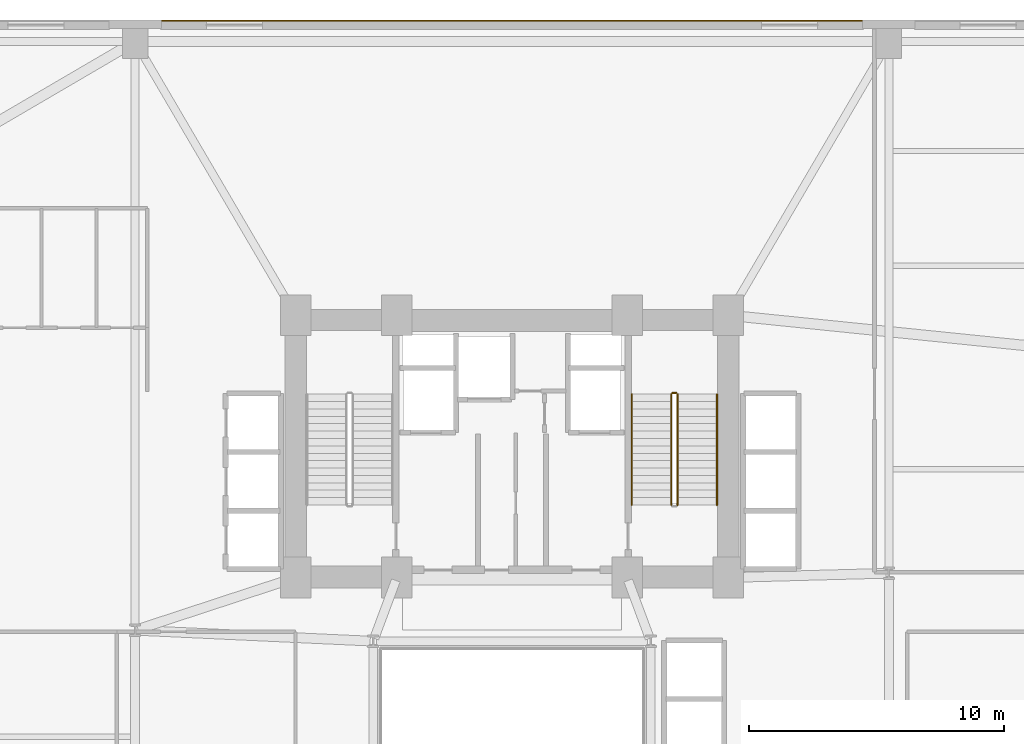
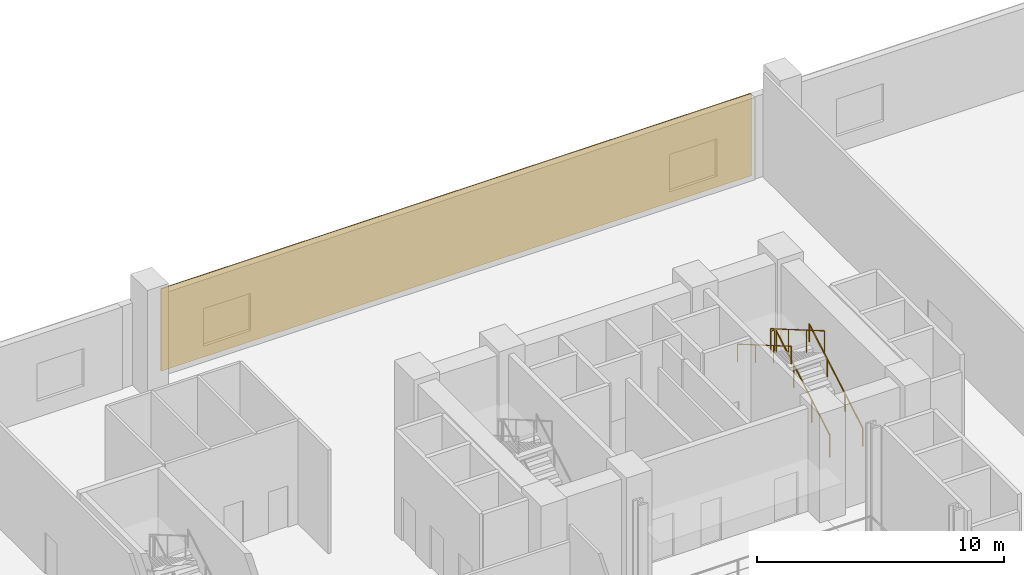
# One storey, part 39 of 40: 5 railings, 1 covering.
"""IFC4 building model written with IfcOpenShell, lengths in metres."""

import ifcopenshell
import ifcopenshell.guid

model = None  # the IFC model being written
_history = None  # IfcOwnerHistory: only IFC2X3 demands one
_inside = {}  # id of a spatial element -> (the spatial element, [elements in it])
_under = {}  # id of a project, library or spatial element -> (it, [spatial elements below it])
_declared = {}  # id of a project -> (the project, [libraries it declares])
_typed = {}  # id of a type object -> (the type object, [elements of that type])
_made_of = {}  # id of a material, layer set ... -> (it, [elements and type objects made of it])


def new_model(schema):
    """Start an empty IFC model of exactly this schema.

    Asked for "IFC4X3", IfcOpenShell would pick the latest addendum, in which some entities
    have other attributes; the version numbers below select the first issue.
    IFC2X3 requires an IfcOwnerHistory on every rooted entity: one is made here for all.
    """
    global model, _history
    if schema == "IFC4X3":
        model = ifcopenshell.file(schema_version=(4, 3, 0, 0))
    else:
        model = ifcopenshell.file(schema=schema)
    _inside.clear()
    _under.clear()
    _declared.clear()
    _typed.clear()
    _made_of.clear()
    _history = None
    if model.schema == "IFC2X3":
        org = make("IfcOrganization", Name="unknown")
        user = make(
            "IfcPersonAndOrganization",
            ThePerson=make("IfcPerson", FamilyName="unknown"),
            TheOrganization=org,
        )
        app = make(
            "IfcApplication",
            ApplicationDeveloper=org,
            Version="unknown",
            ApplicationFullName="unknown",
            ApplicationIdentifier="unknown",
        )
        _history = make(
            "IfcOwnerHistory",
            OwningUser=user,
            OwningApplication=app,
            ChangeAction="ADDED",
            CreationDate=0,
        )
    return model


def make(cls, **values):
    """One entity of the class cls with the attributes given. An attribute that is None is left unset."""
    return model.create_entity(
        cls, **{name: value for name, value in values.items() if value is not None}
    )


def rooted(cls, **values):
    """An entity with a GlobalId (a new one), such as an element, a storey or a relation."""
    return make(cls, GlobalId=ifcopenshell.guid.new(), OwnerHistory=_history, **values)


def si_unit(unit_type, name, prefix=None):
    """IfcSIUnit, for example si_unit("LENGTHUNIT", "METRE", prefix="MILLI")."""
    return make("IfcSIUnit", UnitType=unit_type, Prefix=prefix, Name=name)


def assignment(units):
    """IfcUnitAssignment: the units of a project."""
    return None if units is None else make("IfcUnitAssignment", Units=units)


def point(xyz):
    """IfcCartesianPoint."""
    return None if xyz is None else make("IfcCartesianPoint", Coordinates=xyz)


def direction(xyz):
    """IfcDirection."""
    return None if xyz is None else make("IfcDirection", DirectionRatios=xyz)


def frame(location, z_axis=None, x_axis=None):
    """IfcAxis2Placement3D, a coordinate frame: its origin and axes. An axis left out is left unset."""
    return make(
        "IfcAxis2Placement3D",
        Location=point(location),
        Axis=direction(z_axis),
        RefDirection=direction(x_axis),
    )


def frame_2d(location, x_axis=None):
    """IfcAxis2Placement2D, a coordinate frame in the plane: its origin and x axis."""
    return make(
        "IfcAxis2Placement2D", Location=point(location), RefDirection=direction(x_axis)
    )


def origin():
    """The frame at (0, 0, 0) with its axes left unset."""
    return frame((0.0, 0.0, 0.0))


def origin_2d():
    """The frame at (0, 0) in the plane with its x axis left unset."""
    return frame_2d((0.0, 0.0))


def place(relative_to, where):
    """IfcLocalPlacement: puts the frame where relative to a parent placement (None: the world)."""
    return make(
        "IfcLocalPlacement", PlacementRelTo=relative_to, RelativePlacement=where
    )


def context(
    kind, dimensions, precision=None, world=None, true_north=None, identifier=None
):
    """IfcGeometricRepresentationContext, for example the 3D "Model" context."""
    return make(
        "IfcGeometricRepresentationContext",
        ContextIdentifier=identifier,
        ContextType=kind,
        CoordinateSpaceDimension=dimensions,
        Precision=precision,
        WorldCoordinateSystem=world,
        TrueNorth=true_north,
    )


def subcontext(parent, identifier, kind, view, scale=None):
    """IfcGeometricRepresentationSubContext, for example "Body" below "Model"."""
    return make(
        "IfcGeometricRepresentationSubContext",
        ContextIdentifier=identifier,
        ContextType=kind,
        ParentContext=parent,
        TargetScale=scale,
        TargetView=view,
    )


def project(units=None, contexts=None):
    """IfcProject with its units and contexts."""
    return rooted(
        "IfcProject",
        Name="project",
        RepresentationContexts=contexts,
        UnitsInContext=assignment(units),
    )


def spatial(cls, under=None, at=None, **own):
    """A site, building, storey or space (cls), placed at a placement, below another one or the project."""
    s = rooted(cls, ObjectPlacement=at, **own)
    if under is not None:
        _under.setdefault(under.id(), (under, []))[1].append(s)
    return s


def profile(cls, at=None, kind="AREA", **sizes):
    """A parametric profile (cls). Its sizes go by their IFC names, for example OverallWidth=200.0."""
    return make(cls, ProfileType=kind, Position=at, **sizes)


def rectangle(**sizes):
    """IfcRectangleProfileDef."""
    return profile("IfcRectangleProfileDef", **sizes)


def circle(**sizes):
    """IfcCircleProfileDef."""
    return profile("IfcCircleProfileDef", **sizes)


def extrude(swept, where, along, depth):
    """IfcExtrudedAreaSolid: the profile swept, set in the frame where, extruded along a direction by depth."""
    return make(
        "IfcExtrudedAreaSolid",
        SweptArea=swept,
        Position=where,
        ExtrudedDirection=direction(along),
        Depth=depth,
    )


def shape(context_of_items, identifier, shape_type, items):
    """IfcShapeRepresentation: the items that make up one representation, for example the "Body"."""
    return make(
        "IfcShapeRepresentation",
        ContextOfItems=context_of_items,
        RepresentationIdentifier=identifier,
        RepresentationType=shape_type,
        Items=items,
    )


def source(mapping_origin, context_of_items, identifier, shape_type, items):
    """IfcRepresentationMap: a shape defined once, which mapped items show again and again."""
    return make(
        "IfcRepresentationMap",
        MappingOrigin=mapping_origin,
        MappedRepresentation=shape(context_of_items, identifier, shape_type, items),
    )


def transform(
    local_origin,
    x_axis=None,
    y_axis=None,
    z_axis=None,
    scale=None,
    scale2=None,
    scale3=None,
    uniform=True,
):
    """IfcCartesianTransformationOperator3D, or its non-uniform kind. x_axis, y_axis, z_axis: its Axis1, 2, 3."""
    if uniform:
        return make(
            "IfcCartesianTransformationOperator3D",
            Axis1=direction(x_axis),
            Axis2=direction(y_axis),
            LocalOrigin=point(local_origin),
            Scale=scale,
            Axis3=direction(z_axis),
        )
    return make(
        "IfcCartesianTransformationOperator3DnonUniform",
        Axis1=direction(x_axis),
        Axis2=direction(y_axis),
        LocalOrigin=point(local_origin),
        Scale=scale,
        Axis3=direction(z_axis),
        Scale2=scale2,
        Scale3=scale3,
    )


def mapped(mapping_source, mapping_target):
    """IfcMappedItem: shows the shape of a source again, moved by a transform."""
    return make(
        "IfcMappedItem", MappingSource=mapping_source, MappingTarget=mapping_target
    )


def material(Name=None, Category=None):
    """IfcMaterial."""
    return make("IfcMaterial", Name=Name, Category=Category)


def layer(
    of_material, thickness, ventilated=None, Name=None, Category=None, Priority=None
):
    """IfcMaterialLayer: one layer of a wall or slab, of a material (None: an air gap)."""
    return make(
        "IfcMaterialLayer",
        Material=of_material,
        LayerThickness=thickness,
        IsVentilated=ventilated,
        Name=Name,
        Category=Category,
        Priority=Priority,
    )


def layer_set(layers, Name=None):
    """IfcMaterialLayerSet."""
    return make("IfcMaterialLayerSet", MaterialLayers=layers, LayerSetName=Name)


def made_of(thing, what):
    """Note that an element or type object is made of a material, layer set ...; save() writes the relation."""
    if what is not None:
        _made_of.setdefault(what.id(), (what, []))[1].append(thing)
    return thing


def type_object(cls, material=None, **own):
    """A type object (cls), such as IfcWallType, which elements share."""
    return made_of(rooted(cls, **own), material)


def element(
    cls,
    number,
    at=None,
    inside=None,
    cuts=None,
    type_object=None,
    material=None,
    context=None,
    identifier="Body",
    shape_type=None,
    held_by="IfcProductDefinitionShape",
    body=None,
    shapes=None,
    **own,
):
    """One element of the class cls, such as IfcWall. Its Tag is "e" and its number.

    at: its placement. inside: the storey or other place that contains it. cuts: it is an
    opening in that element (IfcRelVoidsElement). A single representation is given by context,
    identifier, shape_type and body (its items); several are given by shapes. held_by: the class
    of the entity that holds the representations. save() writes the other relations.
    """
    e = rooted(cls, Tag="e%d" % number, ObjectPlacement=at, **own)
    if body is not None:
        shapes = [shape(context, identifier, shape_type, body)]
    if shapes is not None:
        e.Representation = make(held_by, Representations=shapes)
    if inside is not None:
        _inside.setdefault(inside.id(), (inside, []))[1].append(e)
    if cuts is not None:
        rooted(
            "IfcRelVoidsElement", RelatingBuildingElement=cuts, RelatedOpeningElement=e
        )
    if type_object is not None:
        _typed.setdefault(type_object.id(), (type_object, []))[1].append(e)
    return made_of(e, material)


def aggregate(whole, parts):
    """IfcRelAggregates: a whole, such as a stair, and the parts it consists of."""
    return rooted("IfcRelAggregates", RelatingObject=whole, RelatedObjects=parts)


def save(model, path):
    """Write the relations noted so far, then the file.

    IfcRelAggregates (storeys below a building ...), IfcRelContainedInSpatialStructure (elements
    in a storey), IfcRelDefinesByType, IfcRelAssociatesMaterial and IfcRelDeclares: one each for
    every whole, place, type object, material and project.
    """
    for whole, parts in _under.values():
        aggregate(whole, parts)
    for where, things in _inside.values():
        rooted(
            "IfcRelContainedInSpatialStructure",
            RelatedElements=things,
            RelatingStructure=where,
        )
    for kind, things in _typed.values():
        rooted("IfcRelDefinesByType", RelatedObjects=things, RelatingType=kind)
    for what, things in _made_of.values():
        rooted("IfcRelAssociatesMaterial", RelatedObjects=things, RelatingMaterial=what)
    for by, libraries in _declared.values():
        rooted("IfcRelDeclares", RelatingContext=by, RelatedDefinitions=libraries)
    model.write(path)


model = new_model("IFC4")

# Units and contexts
model_context = context("Model", 3, precision=1e-05, world=origin(), true_north=direction((0.0, 1.0)))
body_context = subcontext(model_context, "Body", "Model", "MODEL_VIEW")
ifc_project = project(units=[si_unit("LENGTHUNIT", "METRE"), si_unit("AREAUNIT", "SQUARE_METRE"), si_unit("VOLUMEUNIT", "CUBIC_METRE"), si_unit("PLANEANGLEUNIT", "RADIAN"), si_unit("MASSUNIT", "GRAM", prefix="KILO")], contexts=[model_context])

# Site, building, storey
site_placement = place(None, origin())
site = spatial("IfcSite", under=ifc_project, at=site_placement, CompositionType="ELEMENT")
building_placement = place(site_placement, origin())
building = spatial("IfcBuilding", under=site, at=building_placement, Name="Varnelok Gate Tower", CompositionType="ELEMENT")
storey_placement = place(building_placement, frame((0.0, 0.0, 5.39990234375)))
storey = spatial("IfcBuildingStorey", under=building, at=storey_placement, Name="L01", CompositionType="ELEMENT", Elevation=5.39990234375)

# Railings
ifc_material_1 = material(Name="Brushed Stainless Steel AISI 316", Category="steel")
railing_type_1 = type_object("IfcRailingType", Name="RL-HANDRAIL-900", PredefinedType="HANDRAIL", material=ifc_material_1)
railing_1_placement = place(storey_placement, frame((47.25, 31.60009765625, 0.1689453125)))
element("IfcRailing", 1, at=railing_1_placement, inside=storey, type_object=railing_type_1, Name="L01 ST-2 stair handrail 1", PredefinedType="HANDRAIL", context=body_context, shape_type="SweptSolid", body=[
    extrude(circle(Radius=0.02392578125, at=origin_2d()), frame((0.0, 0.0, 0.8759765625), z_axis=(0.0, 0.864311530196, 0.502956835891), x_axis=(-1.0, 0.0, 0.0)), (0.0, 0.0, 1.0), 5.03271484375),
    extrude(circle(Radius=0.02099609375, at=origin_2d()), origin(), (0.0, 0.0, 1.0), 0.851806640625),
    extrude(circle(Radius=0.02099609375, at=origin_2d()), frame((0.0, 1.449951171875, 0.84375)), (0.0, 0.0, 1.0), 0.851806640625),
    extrude(circle(Radius=0.02099609375, at=origin_2d()), frame((0.0, 2.89990234375, 1.6875)), (0.0, 0.0, 1.0), 0.851806640625),
    extrude(circle(Radius=0.02099609375, at=origin_2d()), frame((0.0, 4.349853515625, 2.53125)), (0.0, 0.0, 1.0), 0.851806640625),
])
railing_2_placement = place(storey_placement, frame((43.89990234375, 35.949951171875, 2.868896484375)))
element("IfcRailing", 2, at=railing_2_placement, inside=storey, type_object=railing_type_1, Name="L01 ST-2 stair handrail 2", PredefinedType="HANDRAIL", context=body_context, shape_type="SweptSolid", body=[
    extrude(circle(Radius=0.02392578125, at=origin_2d()), frame((0.0, 0.0, 0.8759765625), z_axis=(0.0, -0.864311530196, 0.502956835891), x_axis=(1.0, 0.0, 0.0)), (0.0, 0.0, 1.0), 5.03271484375),
    extrude(circle(Radius=0.02099609375, at=origin_2d()), origin(), (0.0, 0.0, 1.0), 0.851806640625),
    extrude(circle(Radius=0.02099609375, at=origin_2d()), frame((0.0, -1.449951171875, 0.84375)), (0.0, 0.0, 1.0), 0.851806640625),
    extrude(circle(Radius=0.02099609375, at=origin_2d()), frame((0.0, -2.89990234375, 1.6875)), (0.0, 0.0, 1.0), 0.851806640625),
    extrude(circle(Radius=0.02099609375, at=origin_2d()), frame((0.0, -4.349853515625, 2.53125)), (0.0, 0.0, 1.0), 0.851806640625),
])
ifc_material_2 = material(Name="Galvanized Steel Grade S350GD", Category="steel")
railing_type_2 = type_object("IfcRailingType", Name="RL-STAIR-GUARD1120", PredefinedType="GUARDRAIL", material=ifc_material_2)
railing_3_placement = place(storey_placement, frame((45.699951171875, 31.60009765625, 0.1689453125)))
element("IfcRailing", 3, at=railing_3_placement, inside=storey, type_object=railing_type_2, Name="L01 ST-2 stair guard 1", PredefinedType="GUARDRAIL", context=body_context, shape_type="SweptSolid", body=[
    extrude(circle(Radius=0.02392578125, at=origin_2d()), frame((0.0, 0.0, 1.09619140625), z_axis=(0.0, 0.864311530196, 0.502956835891), x_axis=(-1.0, 0.0, 0.0)), (0.0, 0.0, 1.0), 5.03271484375),
    extrude(circle(Radius=0.02099609375, at=origin_2d()), origin(), (0.0, 0.0, 1.0), 1.072021484375),
    extrude(circle(Radius=0.02099609375, at=origin_2d()), frame((0.0, 1.449951171875, 0.84375)), (0.0, 0.0, 1.0), 1.072021484375),
    extrude(circle(Radius=0.02099609375, at=origin_2d()), frame((0.0, 2.89990234375, 1.6875)), (0.0, 0.0, 1.0), 1.072021484375),
    extrude(circle(Radius=0.02099609375, at=origin_2d()), frame((0.0, 4.349853515625, 2.53125)), (0.0, 0.0, 1.0), 1.072021484375),
])
railing_4_placement = place(storey_placement, frame((45.64990234375, 36.0, 2.7001953125)))
element("IfcRailing", 4, at=railing_4_placement, inside=storey, type_object=railing_type_2, Name="L01 ST-2 stair guard 2", PredefinedType="GUARDRAIL", context=body_context, shape_type="SweptSolid", body=[
    extrude(circle(Radius=0.02392578125, at=origin_2d()), frame((0.0, 0.0, 1.09619140625), z_axis=(-1.0, 0.0, 0.0), x_axis=(0.0, -1.0, 0.0)), (0.0, 0.0, 1.0), 0.14990234375),
    extrude(circle(Radius=0.02099609375, at=origin_2d()), origin(), (0.0, 0.0, 1.0), 1.072021484375),
    extrude(circle(Radius=0.02099609375, at=origin_2d()), frame((-0.14990234375, 0.0, 0.0)), (0.0, 0.0, 1.0), 1.072021484375),
])
railing_5_placement = place(storey_placement, frame((45.449951171875, 35.949951171875, 2.868896484375)))
element("IfcRailing", 5, at=railing_5_placement, inside=storey, type_object=railing_type_2, Name="L01 ST-2 stair guard 3", PredefinedType="GUARDRAIL", context=body_context, shape_type="SweptSolid", body=[
    extrude(circle(Radius=0.02392578125, at=origin_2d()), frame((0.0, 0.0, 1.09619140625), z_axis=(0.0, -0.864311530196, 0.502956835891), x_axis=(1.0, 0.0, 0.0)), (0.0, 0.0, 1.0), 5.03271484375),
    extrude(circle(Radius=0.02099609375, at=origin_2d()), origin(), (0.0, 0.0, 1.0), 1.072021484375),
    extrude(circle(Radius=0.02099609375, at=origin_2d()), frame((0.0, -1.449951171875, 0.84375)), (0.0, 0.0, 1.0), 1.072021484375),
    extrude(circle(Radius=0.02099609375, at=origin_2d()), frame((0.0, -2.89990234375, 1.6875)), (0.0, 0.0, 1.0), 1.072021484375),
    extrude(circle(Radius=0.02099609375, at=origin_2d()), frame((0.0, -4.349853515625, 2.53125)), (0.0, 0.0, 1.0), 1.072021484375),
])

# Covering
ifc_material_3 = material(Name="Glazed Architectural Terracotta Ceramic", Category="masonry")
ifc_layer = layer(ifc_material_3, 0.044921875)
ifc_layer_set = layer_set([ifc_layer], Name="Glazed Architectural Terracotta Ceramic")
covering_type = type_object("IfcCoveringType", Name="COV-TERRA-CLAD", PredefinedType="CLADDING", material=ifc_layer_set)
shared_shape = source(origin(), body_context, "Body", "SweptSolid", [
    extrude(rectangle(XDim=27.60009765625, YDim=0.044921875, at=origin_2d()), origin(), (0.0, 0.0, 1.0), 4.070068359375),
])
covering_placement = place(storey_placement, frame((39.199951171875, 50.6220703125, 0.0), z_axis=(0.0, 0.0, 1.0), x_axis=(1.0, 0.0, 0.0)))
element("IfcCovering", 6, at=covering_placement, inside=storey, type_object=covering_type, Name="L01 Terracotta Podium Rainscreen Cladding N2", PredefinedType="CLADDING", context=body_context, shape_type="MappedRepresentation", body=[
    mapped(shared_shape, transform((0.0, 0.0, 0.0), scale=1.0)),
])

save(model, "model.ifc")
